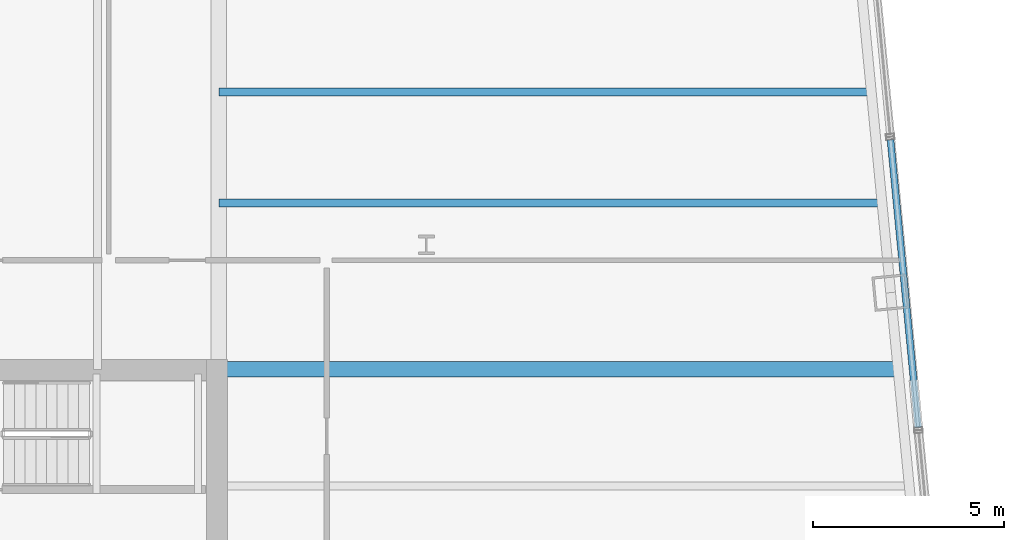
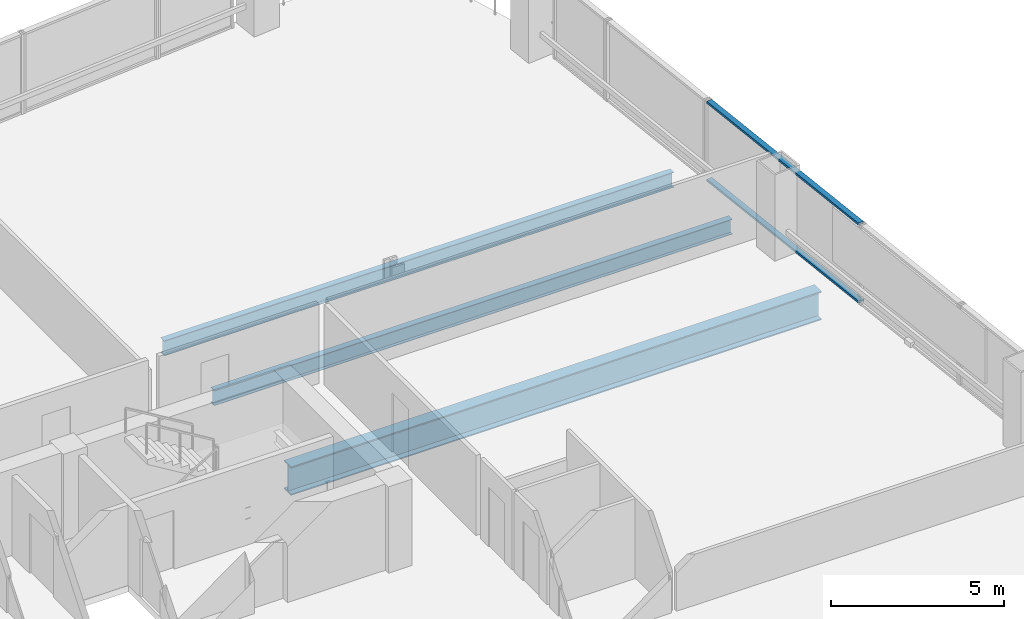
# One storey, part 23 of 32: 3 beams, 2 members, 1 element without a shape of its own.
"""IFC4 building model written with IfcOpenShell, lengths in metres."""

import ifcopenshell
import ifcopenshell.guid

model = None  # the IFC model being written
_history = None  # IfcOwnerHistory: only IFC2X3 demands one
_inside = {}  # id of a spatial element -> (the spatial element, [elements in it])
_under = {}  # id of a project, library or spatial element -> (it, [spatial elements below it])
_declared = {}  # id of a project -> (the project, [libraries it declares])
_typed = {}  # id of a type object -> (the type object, [elements of that type])
_made_of = {}  # id of a material, layer set ... -> (it, [elements and type objects made of it])


def new_model(schema):
    """Start an empty IFC model of exactly this schema.

    Asked for "IFC4X3", IfcOpenShell would pick the latest addendum, in which some entities
    have other attributes; the version numbers below select the first issue.
    IFC2X3 requires an IfcOwnerHistory on every rooted entity: one is made here for all.
    """
    global model, _history
    if schema == "IFC4X3":
        model = ifcopenshell.file(schema_version=(4, 3, 0, 0))
    else:
        model = ifcopenshell.file(schema=schema)
    _inside.clear()
    _under.clear()
    _declared.clear()
    _typed.clear()
    _made_of.clear()
    _history = None
    if model.schema == "IFC2X3":
        org = make("IfcOrganization", Name="unknown")
        user = make(
            "IfcPersonAndOrganization",
            ThePerson=make("IfcPerson", FamilyName="unknown"),
            TheOrganization=org,
        )
        app = make(
            "IfcApplication",
            ApplicationDeveloper=org,
            Version="unknown",
            ApplicationFullName="unknown",
            ApplicationIdentifier="unknown",
        )
        _history = make(
            "IfcOwnerHistory",
            OwningUser=user,
            OwningApplication=app,
            ChangeAction="ADDED",
            CreationDate=0,
        )
    return model


def make(cls, **values):
    """One entity of the class cls with the attributes given. An attribute that is None is left unset."""
    return model.create_entity(
        cls, **{name: value for name, value in values.items() if value is not None}
    )


def rooted(cls, **values):
    """An entity with a GlobalId (a new one), such as an element, a storey or a relation."""
    return make(cls, GlobalId=ifcopenshell.guid.new(), OwnerHistory=_history, **values)


def si_unit(unit_type, name, prefix=None):
    """IfcSIUnit, for example si_unit("LENGTHUNIT", "METRE", prefix="MILLI")."""
    return make("IfcSIUnit", UnitType=unit_type, Prefix=prefix, Name=name)


def assignment(units):
    """IfcUnitAssignment: the units of a project."""
    return None if units is None else make("IfcUnitAssignment", Units=units)


def point(xyz):
    """IfcCartesianPoint."""
    return None if xyz is None else make("IfcCartesianPoint", Coordinates=xyz)


def direction(xyz):
    """IfcDirection."""
    return None if xyz is None else make("IfcDirection", DirectionRatios=xyz)


def frame(location, z_axis=None, x_axis=None):
    """IfcAxis2Placement3D, a coordinate frame: its origin and axes. An axis left out is left unset."""
    return make(
        "IfcAxis2Placement3D",
        Location=point(location),
        Axis=direction(z_axis),
        RefDirection=direction(x_axis),
    )


def frame_2d(location, x_axis=None):
    """IfcAxis2Placement2D, a coordinate frame in the plane: its origin and x axis."""
    return make(
        "IfcAxis2Placement2D", Location=point(location), RefDirection=direction(x_axis)
    )


def origin():
    """The frame at (0, 0, 0) with its axes left unset."""
    return frame((0.0, 0.0, 0.0))


def origin_2d():
    """The frame at (0, 0) in the plane with its x axis left unset."""
    return frame_2d((0.0, 0.0))


def place(relative_to, where):
    """IfcLocalPlacement: puts the frame where relative to a parent placement (None: the world)."""
    return make(
        "IfcLocalPlacement", PlacementRelTo=relative_to, RelativePlacement=where
    )


def context(
    kind, dimensions, precision=None, world=None, true_north=None, identifier=None
):
    """IfcGeometricRepresentationContext, for example the 3D "Model" context."""
    return make(
        "IfcGeometricRepresentationContext",
        ContextIdentifier=identifier,
        ContextType=kind,
        CoordinateSpaceDimension=dimensions,
        Precision=precision,
        WorldCoordinateSystem=world,
        TrueNorth=true_north,
    )


def subcontext(parent, identifier, kind, view, scale=None):
    """IfcGeometricRepresentationSubContext, for example "Body" below "Model"."""
    return make(
        "IfcGeometricRepresentationSubContext",
        ContextIdentifier=identifier,
        ContextType=kind,
        ParentContext=parent,
        TargetScale=scale,
        TargetView=view,
    )


def project(units=None, contexts=None):
    """IfcProject with its units and contexts."""
    return rooted(
        "IfcProject",
        Name="project",
        RepresentationContexts=contexts,
        UnitsInContext=assignment(units),
    )


def spatial(cls, under=None, at=None, **own):
    """A site, building, storey or space (cls), placed at a placement, below another one or the project."""
    s = rooted(cls, ObjectPlacement=at, **own)
    if under is not None:
        _under.setdefault(under.id(), (under, []))[1].append(s)
    return s


def profile(cls, at=None, kind="AREA", **sizes):
    """A parametric profile (cls). Its sizes go by their IFC names, for example OverallWidth=200.0."""
    return make(cls, ProfileType=kind, Position=at, **sizes)


def hollow_rectangle(**sizes):
    """IfcRectangleHollowProfileDef."""
    return profile("IfcRectangleHollowProfileDef", **sizes)


def i_section(**sizes):
    """IfcIShapeProfileDef."""
    return profile("IfcIShapeProfileDef", **sizes)


def extrude(swept, where, along, depth):
    """IfcExtrudedAreaSolid: the profile swept, set in the frame where, extruded along a direction by depth."""
    return make(
        "IfcExtrudedAreaSolid",
        SweptArea=swept,
        Position=where,
        ExtrudedDirection=direction(along),
        Depth=depth,
    )


def shape(context_of_items, identifier, shape_type, items):
    """IfcShapeRepresentation: the items that make up one representation, for example the "Body"."""
    return make(
        "IfcShapeRepresentation",
        ContextOfItems=context_of_items,
        RepresentationIdentifier=identifier,
        RepresentationType=shape_type,
        Items=items,
    )


def material(Name=None, Category=None):
    """IfcMaterial."""
    return make("IfcMaterial", Name=Name, Category=Category)


def layer(
    of_material, thickness, ventilated=None, Name=None, Category=None, Priority=None
):
    """IfcMaterialLayer: one layer of a wall or slab, of a material (None: an air gap)."""
    return make(
        "IfcMaterialLayer",
        Material=of_material,
        LayerThickness=thickness,
        IsVentilated=ventilated,
        Name=Name,
        Category=Category,
        Priority=Priority,
    )


def layer_set(layers, Name=None):
    """IfcMaterialLayerSet."""
    return make("IfcMaterialLayerSet", MaterialLayers=layers, LayerSetName=Name)


def material_profile(
    of_material, cross_section, Name=None, Category=None, Priority=None
):
    """IfcMaterialProfile: a cross section and its material."""
    return make(
        "IfcMaterialProfile",
        Name=Name,
        Material=of_material,
        Profile=cross_section,
        Priority=Priority,
        Category=Category,
    )


def profile_set(profiles, Name=None, composite=None):
    """IfcMaterialProfileSet."""
    return make(
        "IfcMaterialProfileSet",
        Name=Name,
        MaterialProfiles=profiles,
        CompositeProfile=composite,
    )


def made_of(thing, what):
    """Note that an element or type object is made of a material, layer set ...; save() writes the relation."""
    if what is not None:
        _made_of.setdefault(what.id(), (what, []))[1].append(thing)
    return thing


def type_object(cls, material=None, **own):
    """A type object (cls), such as IfcWallType, which elements share."""
    return made_of(rooted(cls, **own), material)


def element(
    cls,
    number,
    at=None,
    inside=None,
    cuts=None,
    type_object=None,
    material=None,
    context=None,
    identifier="Body",
    shape_type=None,
    held_by="IfcProductDefinitionShape",
    body=None,
    shapes=None,
    **own,
):
    """One element of the class cls, such as IfcWall. Its Tag is "e" and its number.

    at: its placement. inside: the storey or other place that contains it. cuts: it is an
    opening in that element (IfcRelVoidsElement). A single representation is given by context,
    identifier, shape_type and body (its items); several are given by shapes. held_by: the class
    of the entity that holds the representations. save() writes the other relations.
    """
    e = rooted(cls, Tag="e%d" % number, ObjectPlacement=at, **own)
    if body is not None:
        shapes = [shape(context, identifier, shape_type, body)]
    if shapes is not None:
        e.Representation = make(held_by, Representations=shapes)
    if inside is not None:
        _inside.setdefault(inside.id(), (inside, []))[1].append(e)
    if cuts is not None:
        rooted(
            "IfcRelVoidsElement", RelatingBuildingElement=cuts, RelatedOpeningElement=e
        )
    if type_object is not None:
        _typed.setdefault(type_object.id(), (type_object, []))[1].append(e)
    return made_of(e, material)


def aggregate(whole, parts):
    """IfcRelAggregates: a whole, such as a stair, and the parts it consists of."""
    return rooted("IfcRelAggregates", RelatingObject=whole, RelatedObjects=parts)


def save(model, path):
    """Write the relations noted so far, then the file.

    IfcRelAggregates (storeys below a building ...), IfcRelContainedInSpatialStructure (elements
    in a storey), IfcRelDefinesByType, IfcRelAssociatesMaterial and IfcRelDeclares: one each for
    every whole, place, type object, material and project.
    """
    for whole, parts in _under.values():
        aggregate(whole, parts)
    for where, things in _inside.values():
        rooted(
            "IfcRelContainedInSpatialStructure",
            RelatedElements=things,
            RelatingStructure=where,
        )
    for kind, things in _typed.values():
        rooted("IfcRelDefinesByType", RelatedObjects=things, RelatingType=kind)
    for what, things in _made_of.values():
        rooted("IfcRelAssociatesMaterial", RelatedObjects=things, RelatingMaterial=what)
    for by, libraries in _declared.values():
        rooted("IfcRelDeclares", RelatingContext=by, RelatedDefinitions=libraries)
    model.write(path)


model = new_model("IFC4")

# Units and contexts
model_context = context("Model", 3, precision=1e-05, world=origin(), true_north=direction((0.0, 1.0)))
body_context = subcontext(model_context, "Body", "Model", "MODEL_VIEW")
ifc_project = project(units=[si_unit("LENGTHUNIT", "METRE"), si_unit("AREAUNIT", "SQUARE_METRE"), si_unit("VOLUMEUNIT", "CUBIC_METRE"), si_unit("PLANEANGLEUNIT", "RADIAN"), si_unit("MASSUNIT", "GRAM", prefix="KILO")], contexts=[model_context])

# Site, building, storey
site_placement = place(None, origin())
site = spatial("IfcSite", under=ifc_project, at=site_placement, CompositionType="ELEMENT")
building_placement = place(site_placement, origin())
building = spatial("IfcBuilding", under=site, at=building_placement, Name="Qhalaya Broadcast Tower", CompositionType="ELEMENT")
storey_placement = place(building_placement, frame((0.0, 0.0, 87.75)))
storey = spatial("IfcBuildingStorey", under=building, at=storey_placement, Name="L25", CompositionType="ELEMENT", Elevation=87.75)

# Beams
ifc_material_1 = material(Name="Structural Steel ASTM A992 Grade 50", Category="steel")
ifc_material_profile_1 = material_profile(ifc_material_1, i_section(OverallWidth=0.2099609375, OverallDepth=0.535888671875, WebThickness=0.010986328125, FlangeThickness=0.017333984375, at=origin_2d()), Name="W21X68")
ifc_profile_set_1 = profile_set([ifc_material_profile_1], Name="Structural Steel ASTM A992 Grade 50")
beam_type_1 = type_object("IfcBeamType", Name="Composite Floor Joist J02", PredefinedType="JOIST", material=ifc_profile_set_1)
beam_1_placement = place(storey_placement, frame((9.375, 14.300048828125, -0.488037109375), z_axis=(1.0, 0.0, 0.0), x_axis=(0.0, 1.0, 0.0)))
element("IfcBeam", 1, at=beam_1_placement, inside=storey, type_object=beam_type_1, Name="L25 J02 L25-JWE6E-1", PredefinedType="JOIST", context=body_context, shape_type="SweptSolid", body=[
    extrude(i_section(OverallWidth=0.2099609375, OverallDepth=0.535888671875, WebThickness=0.010986328125, FlangeThickness=0.017333984375, at=origin_2d()), origin(), (0.0, 0.0, 1.0), 17.3203125),
])
beam_2_placement = place(storey_placement, frame((9.375, 17.199951171875, -0.488037109375), z_axis=(1.0, 0.0, 0.0), x_axis=(0.0, 1.0, 0.0)))
element("IfcBeam", 2, at=beam_2_placement, inside=storey, type_object=beam_type_1, Name="L25 J02 L25-JWE7E-1", PredefinedType="JOIST", context=body_context, shape_type="SweptSolid", body=[
    extrude(i_section(OverallWidth=0.2099609375, OverallDepth=0.535888671875, WebThickness=0.010986328125, FlangeThickness=0.017333984375, at=origin_2d()), origin(), (0.0, 0.0, 1.0), 17.041015625),
])
ifc_material_profile_2 = material_profile(ifc_material_1, i_section(OverallWidth=0.40087890625, OverallDepth=1.010986328125, WebThickness=0.023681640625, FlangeThickness=0.0419921875, at=origin_2d()), Name="W40X297")
ifc_profile_set_2 = profile_set([ifc_material_profile_2], Name="Structural Steel ASTM A992 Grade 50")
beam_type_2 = type_object("IfcBeamType", Name="Lower Block Primary Girder PG2", PredefinedType="USERDEFINED", material=ifc_profile_set_2)
beam_3_placement = place(storey_placement, frame((9.375, 9.949951171875, -0.7255859375), z_axis=(1.0, 0.0, 0.0), x_axis=(0.0, 1.0, 0.0)))
element("IfcBeam", 3, at=beam_3_placement, inside=storey, type_object=beam_type_2, Name="L25 PG2 L25-PGYE4-1", ObjectType="GIRDER", PredefinedType="USERDEFINED", context=body_context, shape_type="SweptSolid", body=[
    extrude(i_section(OverallWidth=0.40087890625, OverallDepth=1.010986328125, WebThickness=0.023681640625, FlangeThickness=0.0419921875, at=origin_2d()), origin(), (0.0, 0.0, 1.0), 17.7392578125),
])

# Curtain wall, members
ifc_material_2 = material(Name="Fired Architectural Terracotta", Category="masonry")
ifc_layer = layer(ifc_material_2, 0.219970703125, Name="Fired Architectural Terracotta")
ifc_layer_set = layer_set([ifc_layer], Name="Fired Architectural Terracotta")
curtain_wall_type = type_object("IfcCurtainWallType", Name="Block-Cap Unitised Terracotta Spandrel Wall CW-07", PredefinedType="NOTDEFINED", material=ifc_layer_set)
curtain_wall_placement = place(storey_placement, origin())
curtain_wall = element("IfcCurtainWall", 4, at=curtain_wall_placement, inside=storey, type_object=curtain_wall_type, Name="L25 Unitised Curtain Wall L25-CW-E5", PredefinedType="NOTDEFINED")
ifc_material_3 = material(Name="Anodised Aluminium 6063-T6", Category="aluminium")
ifc_material_profile_3 = material_profile(ifc_material_3, hollow_rectangle(XDim=0.074951171875, YDim=0.179931640625, WallThickness=0.00390625, at=origin_2d()), Name="ALU-TRN 75x180x4")
ifc_profile_set_3 = profile_set([ifc_material_profile_3], Name="Anodised Aluminium 6063-T6")
member_type = type_object("IfcMemberType", Name="Unitised Curtain-Wall Transom T01", PredefinedType="USERDEFINED", material=ifc_profile_set_3)
member_1_placement = place(storey_placement, frame((27.66259765625, 8.428466796875, 0.03759765625), z_axis=(-0.095860723512, 0.995394756711, 0.0), x_axis=(0.0, 0.0, 1.0)))
member_1 = element("IfcMember", 5, at=member_1_placement, type_object=member_type, Name="CW-07 transom 1.1", ObjectType="TRANSOM", PredefinedType="USERDEFINED", context=body_context, shape_type="SweptSolid", body=[
    extrude(hollow_rectangle(XDim=0.074951171875, YDim=0.179931640625, WallThickness=0.00390625, at=origin_2d()), origin(), (0.0, 0.0, 1.0), 7.55908203125),
])
member_2_placement = place(storey_placement, frame((27.66259765625, 8.428466796875, 2.79248046875), z_axis=(-0.095860723512, 0.995394756711, 0.0), x_axis=(0.0, 0.0, 1.0)))
member_2 = element("IfcMember", 6, at=member_2_placement, type_object=member_type, Name="CW-07 transom 1.2", ObjectType="TRANSOM", PredefinedType="USERDEFINED", context=body_context, shape_type="SweptSolid", body=[
    extrude(hollow_rectangle(XDim=0.074951171875, YDim=0.179931640625, WallThickness=0.00390625, at=origin_2d()), origin(), (0.0, 0.0, 1.0), 7.55908203125),
])
aggregate(curtain_wall, [member_1, member_2])

save(model, "model.ifc")
